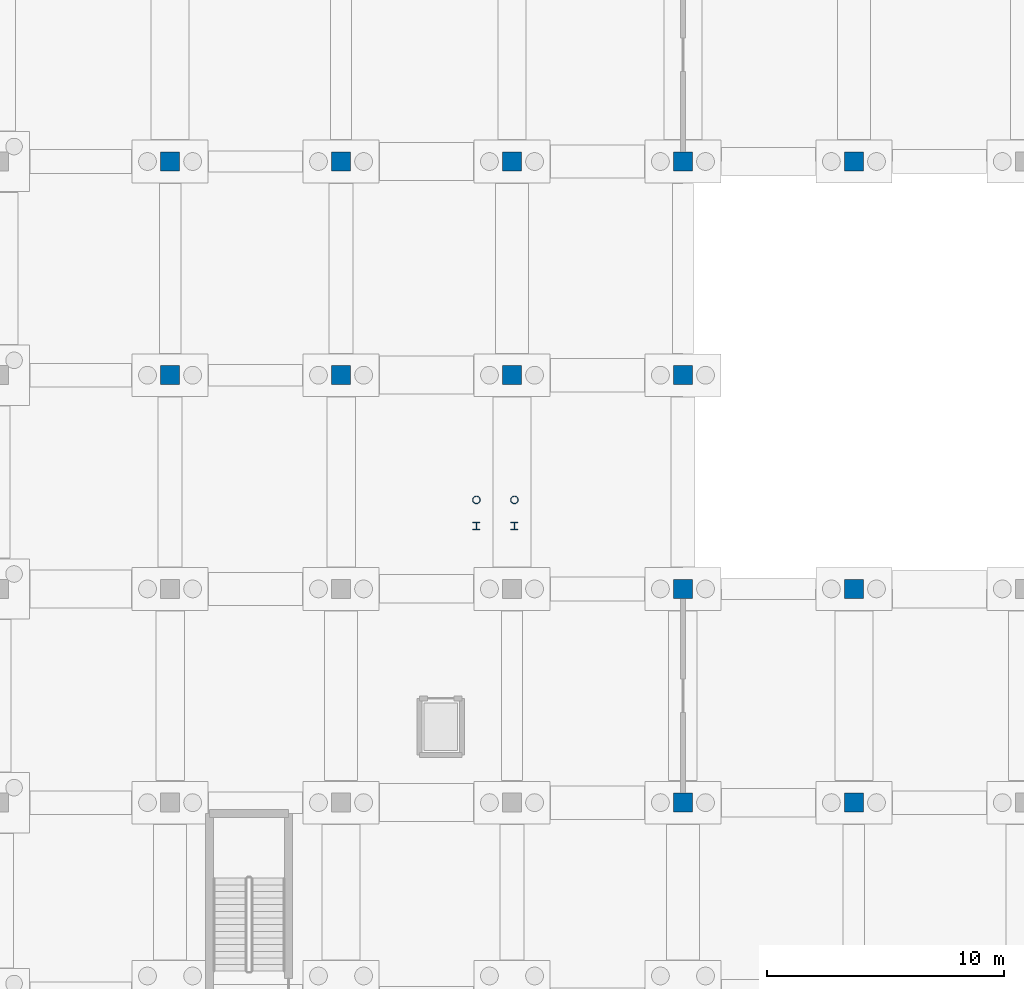
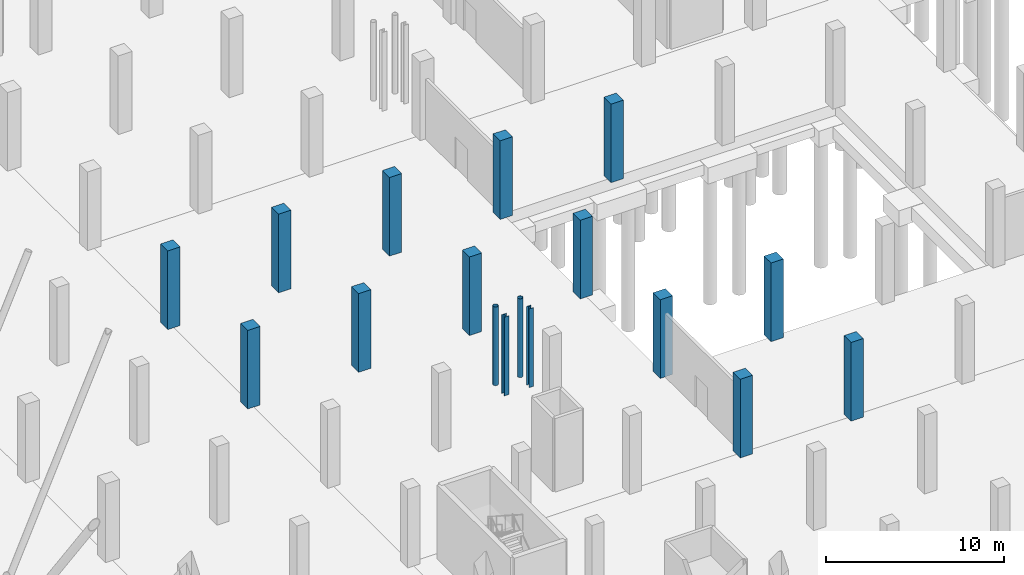
# One storey, part 15 of 42: 17 columns.
"""IFC4 building model written with IfcOpenShell, lengths in metres."""

from ifc_helpers import new_model, si_unit, direction, frame, origin, origin_2d, place, context, subcontext, project, spatial, rectangle, hollow_circle, i_section, extrude, material, material_profile, profile_set, type_object, element, save


model = new_model("IFC4")

# Units and contexts
model_context = context("Model", 3, precision=1e-05, world=origin(), true_north=direction((0.0, 1.0)))
body_context = subcontext(model_context, "Body", "Model", "MODEL_VIEW")
ifc_project = project(units=[si_unit("LENGTHUNIT", "METRE"), si_unit("AREAUNIT", "SQUARE_METRE"), si_unit("VOLUMEUNIT", "CUBIC_METRE"), si_unit("PLANEANGLEUNIT", "RADIAN"), si_unit("MASSUNIT", "GRAM", prefix="KILO")], contexts=[model_context])

# Site, building, storey
site_placement = place(None, origin())
site = spatial("IfcSite", under=ifc_project, at=site_placement, CompositionType="ELEMENT")
building_placement = place(site_placement, origin())
building = spatial("IfcBuilding", under=site, at=building_placement, Name="Sundgate Opera House", CompositionType="ELEMENT")
storey_placement = place(building_placement, frame((0.0, 0.0, -5.39990234375)))
storey = spatial("IfcBuildingStorey", under=building, at=storey_placement, Name="B01", CompositionType="ELEMENT", Elevation=-5.39990234375)

# Columns
ifc_material_1 = material(Name="Steel S355J2", Category="steel")
ifc_material_profile_1 = material_profile(ifc_material_1, hollow_circle(Radius=0.161865234375, WallThickness=0.01611328125, at=origin_2d()), Name="CHS 323.9x16.0")
ifc_profile_set_1 = profile_set([ifc_material_profile_1], Name="Steel S355J2")
column_type_1 = type_object("IfcColumnType", Name="CL-CHS-324", PredefinedType="COLUMN", material=ifc_profile_set_1)
for number, where, z_axis, x_axis, name in (
    (1, (108.300048828125, 45.75, 0.0), (0.0, 0.0, 1.0), (1.0, 0.0, 0.0), "Chamber Studio Gallery Straight Stair Post C B01"),
    (2, (109.89990234375, 45.75, 0.0), (0.0, 0.0, 1.0), (1.0, 0.0, 0.0), "Chamber Studio Gallery Straight Stair Post D B01"),
):
    element("IfcColumn", number, at=place(storey_placement, frame(where, z_axis=z_axis, x_axis=x_axis)), inside=storey, type_object=column_type_1, Name=name, PredefinedType="COLUMN", context=body_context, shape_type="SweptSolid", body=[
        extrude(hollow_circle(Radius=0.161865234375, WallThickness=0.01611328125, at=origin_2d()), origin(), (0.0, 0.0, 1.0), 5.39990234375),
    ])
ifc_material_2 = material(Name="Concrete C40/50", Category="concrete")
ifc_material_profile_2 = material_profile(ifc_material_2, rectangle(XDim=0.800048828125, YDim=0.800048828125, at=origin_2d()), Name="RC 800x800")
ifc_profile_set_2 = profile_set([ifc_material_profile_2], Name="Concrete C40/50")
column_type_2 = type_object("IfcColumnType", Name="CL-RC-800", PredefinedType="COLUMN", material=ifc_profile_set_2)
for number, where, z_axis, x_axis, name in (
    (3, (95.39990234375, 51.0, 0.0), (0.0, 0.0, 1.0), (1.0, 0.0, 0.0), "B01 Column C0648"),
    (4, (95.39990234375, 60.0, 0.0), (0.0, 0.0, 1.0), (1.0, 0.0, 0.0), "B01 Column C0652"),
    (5, (102.60009765625, 51.0, 0.0), (0.0, 0.0, 1.0), (1.0, 0.0, 0.0), "B01 Column C0715"),
    (6, (102.60009765625, 60.0, 0.0), (0.0, 0.0, 1.0), (1.0, 0.0, 0.0), "B01 Column C0716"),
    (7, (109.800048828125, 51.0, 0.0), (0.0, 0.0, 1.0), (1.0, 0.0, 0.0), "B01 Column C0779"),
    (8, (109.800048828125, 60.0, 0.0), (0.0, 0.0, 1.0), (1.0, 0.0, 0.0), "B01 Column C0780"),
    (9, (117.0, 33.0, 0.0), (0.0, 0.0, 1.0), (1.0, 0.0, 0.0), "B01 Column C0832"),
    (10, (117.0, 42.0, 0.0), (0.0, 0.0, 1.0), (1.0, 0.0, 0.0), "B01 Column C0836"),
    (11, (117.0, 51.0, 0.0), (0.0, 0.0, 1.0), (1.0, 0.0, 0.0), "B01 Column C0840"),
    (12, (117.0, 60.0, 0.0), (0.0, 0.0, 1.0), (1.0, 0.0, 0.0), "B01 Column C0844"),
    (13, (124.199951171875, 33.0, 0.0), (0.0, 0.0, 1.0), (1.0, 0.0, 0.0), "B01 Column C0896"),
    (14, (124.199951171875, 42.0, 0.0), (0.0, 0.0, 1.0), (1.0, 0.0, 0.0), "B01 Column C0900"),
    (15, (124.199951171875, 60.0, 0.0), (0.0, 0.0, 1.0), (1.0, 0.0, 0.0), "B01 Column C0904"),
):
    element("IfcColumn", number, at=place(storey_placement, frame(where, z_axis=z_axis, x_axis=x_axis)), inside=storey, type_object=column_type_2, Name=name, PredefinedType="COLUMN", context=body_context, shape_type="SweptSolid", body=[
        extrude(rectangle(XDim=0.800048828125, YDim=0.800048828125, at=origin_2d()), origin(), (0.0, 0.0, 1.0), 5.39990234375),
    ])
ifc_material_3 = material(Name="Steel S355J2", Category="steel")
ifc_material_profile_3 = material_profile(ifc_material_3, i_section(OverallWidth=0.300048828125, OverallDepth=0.300048828125, WebThickness=0.010986328125, FlangeThickness=0.01904296875, at=origin_2d()), Name="HEB 300")
ifc_profile_set_3 = profile_set([ifc_material_profile_3], Name="Steel S355J2")
column_type_3 = type_object("IfcColumnType", Name="CL-STL-300", PredefinedType="COLUMN", material=ifc_profile_set_3)
for number, where, z_axis, x_axis, name in (
    (16, (108.300048828125, 44.64990234375, 0.0), (0.0, 0.0, 1.0), (1.0, 0.0, 0.0), "Chamber Studio Gallery Straight Stair Post A B01"),
    (17, (109.89990234375, 44.64990234375, 0.0), (0.0, 0.0, 1.0), (1.0, 0.0, 0.0), "Chamber Studio Gallery Straight Stair Post B B01"),
):
    element("IfcColumn", number, at=place(storey_placement, frame(where, z_axis=z_axis, x_axis=x_axis)), inside=storey, type_object=column_type_3, Name=name, PredefinedType="COLUMN", context=body_context, shape_type="SweptSolid", body=[
        extrude(i_section(OverallWidth=0.300048828125, OverallDepth=0.300048828125, WebThickness=0.010986328125, FlangeThickness=0.01904296875, at=origin_2d()), origin(), (0.0, 0.0, 1.0), 5.39990234375),
    ])

save(model, "model.ifc")
